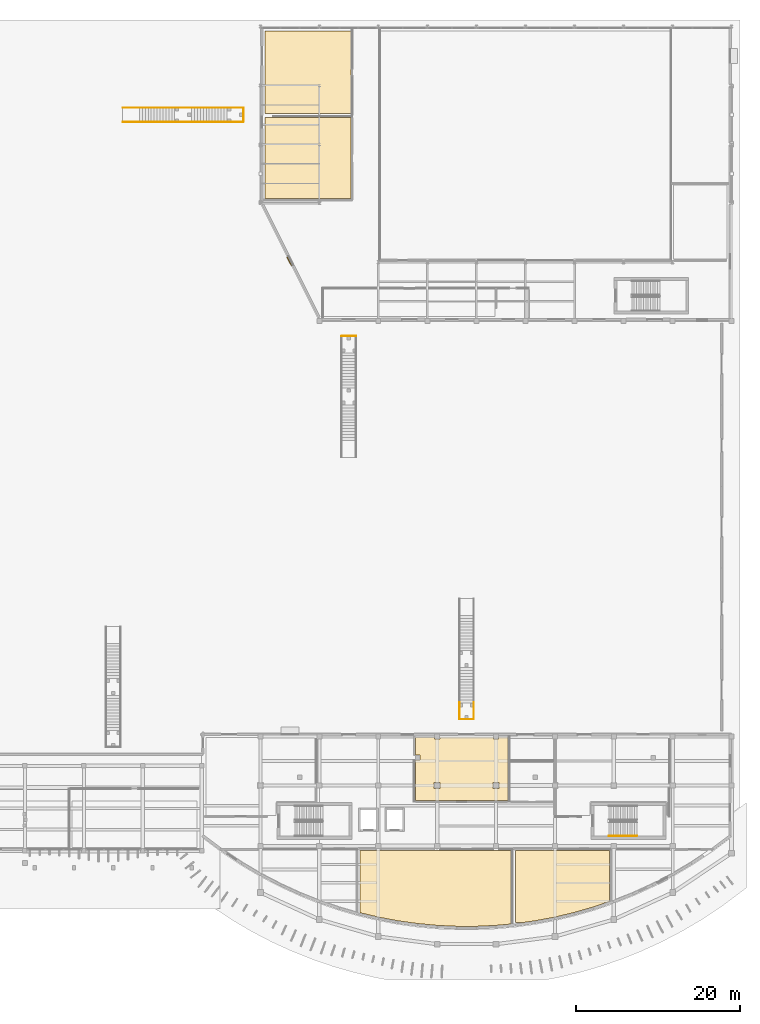
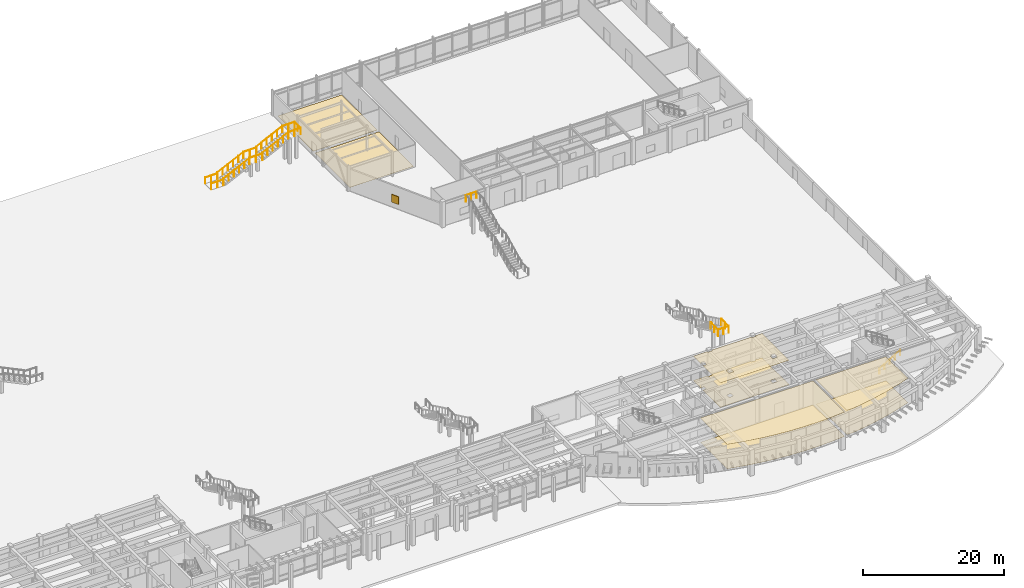
# One storey, part 54 of 58: 16 railings, 8 coverings, 1 shading device.
"""IFC4 building model written with IfcOpenShell, lengths in metres."""

from ifc_helpers import new_model, si_unit, direction, frame, origin, origin_2d, place, context, subcontext, project, spatial, polyline, rectangle, circle, outline, extrude, material, layer, layer_set, type_object, element, save


model = new_model("IFC4")

# Units and contexts
model_context = context("Model", 3, precision=1e-05, world=origin(), true_north=direction((0.0, 1.0)))
body_context = subcontext(model_context, "Body", "Model", "MODEL_VIEW")
ifc_project = project(units=[si_unit("LENGTHUNIT", "METRE"), si_unit("AREAUNIT", "SQUARE_METRE"), si_unit("VOLUMEUNIT", "CUBIC_METRE"), si_unit("PLANEANGLEUNIT", "RADIAN"), si_unit("MASSUNIT", "GRAM", prefix="KILO")], contexts=[model_context])

# Site, building, storey
site_placement = place(None, origin())
site = spatial("IfcSite", under=ifc_project, at=site_placement, CompositionType="ELEMENT")
building_placement = place(site_placement, origin())
building = spatial("IfcBuilding", under=site, at=building_placement, Name="Brisavento Harbour Community Centre", CompositionType="ELEMENT")
storey_placement = place(building_placement, origin())
storey = spatial("IfcBuildingStorey", under=building, at=storey_placement, Name="L00", CompositionType="ELEMENT", Elevation=0.0)

# Coverings
ifc_material_1 = material(Name="Perforated acoustic gypsum ceiling board", Category="other")
ifc_layer_1 = layer(ifc_material_1, 0.02490234375, Name="Perforated acoustic gypsum ceiling board")
ifc_layer_set_1 = layer_set([ifc_layer_1], Name="Perforated acoustic gypsum ceiling board")
covering_type_1 = type_object("IfcCoveringType", Name="COV-CEIL-AC", PredefinedType="CEILING", material=ifc_layer_set_1)
covering_1_placement = place(storey_placement, frame((0.0, 0.0, 4.215087890625)))
element("IfcCovering", 1, at=covering_1_placement, inside=storey, type_object=covering_type_1, Name="L00 Nursery Playroom Harbour acoustic ceiling", PredefinedType="CEILING", context=body_context, shape_type="SweptSolid", body=[
    extrude(outline(polyline([(127.35009765625, 6.8505859375), (129.677001953125, 6.2958984375), (132.059814453125, 5.84814453125), (134.442626953125, 5.514892578125), (136.82568359375, 5.2939453125), (139.20849609375, 5.183837890625), (141.59130859375, 5.183837890625), (143.974365234375, 5.2939453125), (145.85009765625, 5.468017578125), (145.85009765625, 14.449951171875), (127.35009765625, 14.449951171875), (127.35009765625, 6.8505859375)])), origin(), (0.0, 0.0, 1.0), 0.02490234375),
])
covering_2_placement = place(storey_placement, frame((0.0, 0.0, 4.215087890625)))
element("IfcCovering", 2, at=covering_2_placement, inside=storey, type_object=covering_type_1, Name="L00 Children Cot and Quiet Room acoustic ceiling", PredefinedType="CEILING", context=body_context, shape_type="SweptSolid", body=[
    extrude(outline(polyline([(147.3232421875, 5.64990234375), (148.739990234375, 5.84814453125), (151.123046875, 6.2958984375), (153.506103515625, 6.861083984375), (155.888916015625, 7.548095703125), (157.85009765625, 8.218017578125), (157.85009765625, 14.449951171875), (146.35009765625, 14.449951171875), (146.35009765625, 5.64990234375), (147.3232421875, 5.64990234375)])), origin(), (0.0, 0.0, 1.0), 0.02490234375),
])
covering_3_placement = place(storey_placement, frame((0.0, 0.0, 4.215087890625)))
element("IfcCovering", 3, at=covering_3_placement, inside=storey, type_object=covering_type_1, Name="L00 Nursery Pantry and Pram Store acoustic ceiling", PredefinedType="CEILING", context=body_context, shape_type="SweptSolid", body=[
    extrude(outline(polyline([(137.1298828125, 28.070068359375), (136.469970703125, 28.070068359375), (136.469970703125, 28.25), (134.14990234375, 28.25), (134.14990234375, 26.10498046875), (134.705078125, 26.10498046875), (134.705078125, 25.4951171875), (134.14990234375, 25.4951171875), (134.14990234375, 20.550048828125), (145.449951171875, 20.550048828125), (145.449951171875, 28.25), (144.330078125, 28.25), (144.330078125, 28.070068359375), (143.669921875, 28.070068359375), (143.669921875, 28.25), (137.1298828125, 28.25), (137.1298828125, 28.070068359375)]), holes=[polyline([(137.155029296875, 22.044921875), (136.445068359375, 22.044921875), (136.445068359375, 22.7548828125), (137.155029296875, 22.7548828125), (137.155029296875, 22.044921875)]), polyline([(143.64501953125, 22.7548828125), (144.35498046875, 22.7548828125), (144.35498046875, 22.044921875), (143.64501953125, 22.044921875), (143.64501953125, 22.7548828125)])]), origin(), (0.0, 0.0, 1.0), 0.02490234375),
])
ifc_material_2 = material(Name="Polished marine terrazzo tile", Category="other")
ifc_layer_2 = layer(ifc_material_2, 0.02001953125, Name="Polished marine terrazzo tile")
ifc_layer_set_2 = layer_set([ifc_layer_2], Name="Polished marine terrazzo tile")
covering_type_2 = type_object("IfcCoveringType", Name="COV-FLR-TRZ", PredefinedType="FLOORING", material=ifc_layer_set_2)
covering_4_placement = place(storey_placement, origin())
element("IfcCovering", 4, at=covering_4_placement, inside=storey, type_object=covering_type_2, Name="L00 Nursery Playroom Harbour terrazzo flooring", PredefinedType="FLOORING", context=body_context, shape_type="SweptSolid", body=[
    extrude(outline(polyline([(127.35009765625, 6.8505859375), (129.677001953125, 6.2958984375), (132.059814453125, 5.84814453125), (134.442626953125, 5.514892578125), (136.82568359375, 5.2939453125), (139.20849609375, 5.183837890625), (141.59130859375, 5.183837890625), (143.974365234375, 5.2939453125), (145.85009765625, 5.468017578125), (145.85009765625, 14.449951171875), (127.35009765625, 14.449951171875), (127.35009765625, 6.8505859375)])), origin(), (0.0, 0.0, 1.0), 0.02001953125),
])
covering_5_placement = place(storey_placement, origin())
element("IfcCovering", 5, at=covering_5_placement, inside=storey, type_object=covering_type_2, Name="L00 Children Cot and Quiet Room terrazzo flooring", PredefinedType="FLOORING", context=body_context, shape_type="SweptSolid", body=[
    extrude(outline(polyline([(147.3232421875, 5.64990234375), (148.739990234375, 5.84814453125), (151.123046875, 6.2958984375), (153.506103515625, 6.861083984375), (155.888916015625, 7.548095703125), (157.85009765625, 8.218017578125), (157.85009765625, 14.449951171875), (146.35009765625, 14.449951171875), (146.35009765625, 5.64990234375), (147.3232421875, 5.64990234375)])), origin(), (0.0, 0.0, 1.0), 0.02001953125),
])
covering_6_placement = place(storey_placement, origin())
element("IfcCovering", 6, at=covering_6_placement, inside=storey, type_object=covering_type_2, Name="L00 Nursery Pantry and Pram Store terrazzo flooring", PredefinedType="FLOORING", context=body_context, shape_type="SweptSolid", body=[
    extrude(outline(polyline([(137.1298828125, 28.070068359375), (136.469970703125, 28.070068359375), (136.469970703125, 28.25), (134.14990234375, 28.25), (134.14990234375, 26.10498046875), (134.705078125, 26.10498046875), (134.705078125, 25.4951171875), (134.14990234375, 25.4951171875), (134.14990234375, 20.550048828125), (145.449951171875, 20.550048828125), (145.449951171875, 28.25), (144.330078125, 28.25), (144.330078125, 28.070068359375), (143.669921875, 28.070068359375), (143.669921875, 28.25), (137.1298828125, 28.25), (137.1298828125, 28.070068359375)]), holes=[polyline([(137.155029296875, 22.044921875), (136.445068359375, 22.044921875), (136.445068359375, 22.7548828125), (137.155029296875, 22.7548828125), (137.155029296875, 22.044921875)]), polyline([(143.64501953125, 22.7548828125), (144.35498046875, 22.7548828125), (144.35498046875, 22.044921875), (143.64501953125, 22.044921875), (143.64501953125, 22.7548828125)])]), origin(), (0.0, 0.0, 1.0), 0.02001953125),
])
covering_7_placement = place(storey_placement, origin())
element("IfcCovering", 7, at=covering_7_placement, inside=storey, type_object=covering_type_2, Name="L00 Team Changing Room A terrazzo flooring", PredefinedType="FLOORING", context=body_context, shape_type="SweptSolid", body=[
    extrude(outline(polyline([(115.75, 94.14990234375), (126.25, 94.14990234375), (126.25, 104.050048828125), (115.75, 104.050048828125), (115.75, 94.14990234375)])), origin(), (0.0, 0.0, 1.0), 0.02001953125),
])
covering_8_placement = place(storey_placement, origin())
element("IfcCovering", 8, at=covering_8_placement, inside=storey, type_object=covering_type_2, Name="L00 Team Changing Room B terrazzo flooring", PredefinedType="FLOORING", context=body_context, shape_type="SweptSolid", body=[
    extrude(outline(polyline([(115.75, 104.550048828125), (126.25, 104.550048828125), (126.25, 114.64990234375), (115.75, 114.64990234375), (115.75, 104.550048828125)])), origin(), (0.0, 0.0, 1.0), 0.02001953125),
])

# Railings
ifc_material_3 = material(Name="Stainless steel 1.4401", Category="steel")
railing_type_1 = type_object("IfcRailingType", Name="RL-ST-GUARD", PredefinedType="GUARDRAIL", material=ifc_material_3)
railing_1_placement = place(storey_placement, frame((126.8798828125, 77.340087890625, 4.5)))
element("IfcRailing", 9, at=railing_1_placement, inside=storey, type_object=railing_type_1, Name="L00 MST-03 top landing end guard", PredefinedType="GUARDRAIL", context=body_context, shape_type="SweptSolid", body=[
    extrude(circle(Radius=0.02392578125, at=origin_2d()), frame((0.0, 0.0, 1.09619140625), z_axis=(-1.0, 0.0, 0.0), x_axis=(0.0, -1.0, 0.0)), (0.0, 0.0, 1.0), 1.759765625),
    extrude(circle(Radius=0.02099609375, at=origin_2d()), origin(), (0.0, 0.0, 1.0), 1.072021484375),
    extrude(circle(Radius=0.02099609375, at=origin_2d()), frame((-0.8798828125, 0.0, 0.0)), (0.0, 0.0, 1.0), 1.072021484375),
    extrude(circle(Radius=0.02099609375, at=origin_2d()), frame((-1.759765625, 0.0, 0.0)), (0.0, 0.0, 1.0), 1.072021484375),
])
for number, where, name in (
    (10, (139.530029296875, 32.550048828125, 4.5), "L00 MST-05 L L3 stair guard"),
    (11, (141.27001953125, 32.550048828125, 4.5), "L00 MST-05 R L3 stair guard"),
):
    element("IfcRailing", number, at=place(storey_placement, frame(where)), inside=storey, type_object=railing_type_1, Name=name, PredefinedType="GUARDRAIL", context=body_context, shape_type="SweptSolid", body=[
        extrude(circle(Radius=0.02392578125, at=origin_2d()), frame((0.0, 0.0, 1.09619140625), z_axis=(0.0, -1.0, 0.0), x_axis=(1.0, 0.0, 0.0)), (0.0, 0.0, 1.0), 2.050048828125),
        extrude(circle(Radius=0.02099609375, at=origin_2d()), origin(), (0.0, 0.0, 1.0), 1.072021484375),
        extrude(circle(Radius=0.02099609375, at=origin_2d()), frame((0.0, -1.02490234375, 0.0)), (0.0, 0.0, 1.0), 1.072021484375),
        extrude(circle(Radius=0.02099609375, at=origin_2d()), frame((0.0, -2.050048828125, 0.0)), (0.0, 0.0, 1.0), 1.072021484375),
    ])
railing_2_placement = place(storey_placement, frame((139.530029296875, 30.5, 4.5)))
element("IfcRailing", 12, at=railing_2_placement, inside=storey, type_object=railing_type_1, Name="L00 MST-05 top landing end guard", PredefinedType="GUARDRAIL", context=body_context, shape_type="SweptSolid", body=[
    extrude(circle(Radius=0.02392578125, at=origin_2d()), frame((0.0, 0.0, 1.09619140625), z_axis=(1.0, 0.0, 0.0), x_axis=(0.0, 1.0, 0.0)), (0.0, 0.0, 1.0), 1.739990234375),
    extrude(circle(Radius=0.02099609375, at=origin_2d()), origin(), (0.0, 0.0, 1.0), 1.072021484375),
    extrude(circle(Radius=0.02099609375, at=origin_2d()), frame((0.8701171875, 0.0, 0.0)), (0.0, 0.0, 1.0), 1.072021484375),
    extrude(circle(Radius=0.02099609375, at=origin_2d()), frame((1.739990234375, 0.0, 0.0)), (0.0, 0.0, 1.0), 1.072021484375),
])
railing_3_placement = place(storey_placement, frame((98.389892578125, 103.530029296875, 0.0)))
element("IfcRailing", 13, at=railing_3_placement, inside=storey, type_object=railing_type_1, Name="L00 MST-06 L L1 stair guard", PredefinedType="GUARDRAIL", context=body_context, shape_type="SweptSolid", body=[
    extrude(circle(Radius=0.02392578125, at=origin_2d()), frame((0.0, 0.0, 1.09619140625), z_axis=(1.0, 0.0, 0.0), x_axis=(0.0, 1.0, 0.0)), (0.0, 0.0, 1.0), 2.010009765625),
    extrude(circle(Radius=0.02099609375, at=origin_2d()), origin(), (0.0, 0.0, 1.0), 1.072021484375),
    extrude(circle(Radius=0.02099609375, at=origin_2d()), frame((1.0048828125, 0.0, 0.0)), (0.0, 0.0, 1.0), 1.072021484375),
    extrude(circle(Radius=0.02099609375, at=origin_2d()), frame((2.010009765625, 0.0, 0.0)), (0.0, 0.0, 1.0), 1.072021484375),
])
railing_4_placement = place(storey_placement, frame((100.39990234375, 103.530029296875, 0.173095703125)))
element("IfcRailing", 14, at=railing_4_placement, inside=storey, type_object=railing_type_1, Name="L00 MST-06 L F1 stair guard", PredefinedType="GUARDRAIL", context=body_context, shape_type="SweptSolid", body=[
    extrude(circle(Radius=0.02392578125, at=origin_2d()), frame((0.0, 0.0, 1.09619140625), z_axis=(0.901256631912, 0.0, 0.433285683395), x_axis=(0.0, 1.0, 0.0)), (0.0, 0.0, 1.0), 4.79345703125),
    extrude(circle(Radius=0.02099609375, at=origin_2d()), origin(), (0.0, 0.0, 1.0), 1.072021484375),
    extrude(circle(Radius=0.02099609375, at=origin_2d()), frame((0.864013671875, 0.0, 0.415283203125)), (0.0, 0.0, 1.0), 1.072021484375),
    extrude(circle(Radius=0.02099609375, at=origin_2d()), frame((1.72802734375, 0.0, 0.830810546875)), (0.0, 0.0, 1.0), 1.072021484375),
    extrude(circle(Radius=0.02099609375, at=origin_2d()), frame((2.592041015625, 0.0, 1.24609375)), (0.0, 0.0, 1.0), 1.072021484375),
    extrude(circle(Radius=0.02099609375, at=origin_2d()), frame((3.4560546875, 0.0, 1.66162109375)), (0.0, 0.0, 1.0), 1.072021484375),
    extrude(circle(Radius=0.02099609375, at=origin_2d()), frame((4.320068359375, 0.0, 2.076904296875)), (0.0, 0.0, 1.0), 1.072021484375),
])
railing_5_placement = place(storey_placement, frame((104.679931640625, 103.530029296875, 2.25)))
element("IfcRailing", 15, at=railing_5_placement, inside=storey, type_object=railing_type_1, Name="L00 MST-06 L L2 stair guard", PredefinedType="GUARDRAIL", context=body_context, shape_type="SweptSolid", body=[
    extrude(circle(Radius=0.02392578125, at=origin_2d()), frame((0.0, 0.0, 1.09619140625), z_axis=(1.0, 0.0, 0.0), x_axis=(0.0, 1.0, 0.0)), (0.0, 0.0, 1.0), 2.130126953125),
    extrude(circle(Radius=0.02099609375, at=origin_2d()), origin(), (0.0, 0.0, 1.0), 1.072021484375),
    extrude(circle(Radius=0.02099609375, at=origin_2d()), frame((1.06494140625, 0.0, 0.0)), (0.0, 0.0, 1.0), 1.072021484375),
    extrude(circle(Radius=0.02099609375, at=origin_2d()), frame((2.130126953125, 0.0, 0.0)), (0.0, 0.0, 1.0), 1.072021484375),
])
railing_6_placement = place(storey_placement, frame((106.77001953125, 103.530029296875, 2.423095703125)))
element("IfcRailing", 16, at=railing_6_placement, inside=storey, type_object=railing_type_1, Name="L00 MST-06 L F2 stair guard", PredefinedType="GUARDRAIL", context=body_context, shape_type="SweptSolid", body=[
    extrude(circle(Radius=0.02392578125, at=origin_2d()), frame((0.0, 0.0, 1.09619140625), z_axis=(0.901256631912, 0.0, 0.433285683395), x_axis=(0.0, 1.0, 0.0)), (0.0, 0.0, 1.0), 4.79345703125),
    extrude(circle(Radius=0.02099609375, at=origin_2d()), origin(), (0.0, 0.0, 1.0), 1.072021484375),
    extrude(circle(Radius=0.02099609375, at=origin_2d()), frame((0.864013671875, 0.0, 0.415283203125)), (0.0, 0.0, 1.0), 1.072021484375),
    extrude(circle(Radius=0.02099609375, at=origin_2d()), frame((1.72802734375, 0.0, 0.830810546875)), (0.0, 0.0, 1.0), 1.072021484375),
    extrude(circle(Radius=0.02099609375, at=origin_2d()), frame((2.592041015625, 0.0, 1.24609375)), (0.0, 0.0, 1.0), 1.072021484375),
    extrude(circle(Radius=0.02099609375, at=origin_2d()), frame((3.4560546875, 0.0, 1.66162109375)), (0.0, 0.0, 1.0), 1.072021484375),
    extrude(circle(Radius=0.02099609375, at=origin_2d()), frame((4.320068359375, 0.0, 2.076904296875)), (0.0, 0.0, 1.0), 1.072021484375),
])
railing_7_placement = place(storey_placement, frame((111.050048828125, 103.530029296875, 4.5)))
element("IfcRailing", 17, at=railing_7_placement, inside=storey, type_object=railing_type_1, Name="L00 MST-06 L L3 stair guard", PredefinedType="GUARDRAIL", context=body_context, shape_type="SweptSolid", body=[
    extrude(circle(Radius=0.02392578125, at=origin_2d()), frame((0.0, 0.0, 1.09619140625), z_axis=(1.0, 0.0, 0.0), x_axis=(0.0, 1.0, 0.0)), (0.0, 0.0, 1.0), 2.050048828125),
    extrude(circle(Radius=0.02099609375, at=origin_2d()), origin(), (0.0, 0.0, 1.0), 1.072021484375),
    extrude(circle(Radius=0.02099609375, at=origin_2d()), frame((1.02490234375, 0.0, 0.0)), (0.0, 0.0, 1.0), 1.072021484375),
    extrude(circle(Radius=0.02099609375, at=origin_2d()), frame((2.050048828125, 0.0, 0.0)), (0.0, 0.0, 1.0), 1.072021484375),
])
railing_8_placement = place(storey_placement, frame((98.389892578125, 105.27001953125, 0.0)))
element("IfcRailing", 18, at=railing_8_placement, inside=storey, type_object=railing_type_1, Name="L00 MST-06 R L1 stair guard", PredefinedType="GUARDRAIL", context=body_context, shape_type="SweptSolid", body=[
    extrude(circle(Radius=0.02392578125, at=origin_2d()), frame((0.0, 0.0, 1.09619140625), z_axis=(1.0, 0.0, 0.0), x_axis=(0.0, 1.0, 0.0)), (0.0, 0.0, 1.0), 2.010009765625),
    extrude(circle(Radius=0.02099609375, at=origin_2d()), origin(), (0.0, 0.0, 1.0), 1.072021484375),
    extrude(circle(Radius=0.02099609375, at=origin_2d()), frame((1.0048828125, 0.0, 0.0)), (0.0, 0.0, 1.0), 1.072021484375),
    extrude(circle(Radius=0.02099609375, at=origin_2d()), frame((2.010009765625, 0.0, 0.0)), (0.0, 0.0, 1.0), 1.072021484375),
])
railing_9_placement = place(storey_placement, frame((100.39990234375, 105.27001953125, 0.173095703125)))
element("IfcRailing", 19, at=railing_9_placement, inside=storey, type_object=railing_type_1, Name="L00 MST-06 R F1 stair guard", PredefinedType="GUARDRAIL", context=body_context, shape_type="SweptSolid", body=[
    extrude(circle(Radius=0.02392578125, at=origin_2d()), frame((0.0, 0.0, 1.09619140625), z_axis=(0.901256631912, 0.0, 0.433285683395), x_axis=(0.0, 1.0, 0.0)), (0.0, 0.0, 1.0), 4.79345703125),
    extrude(circle(Radius=0.02099609375, at=origin_2d()), origin(), (0.0, 0.0, 1.0), 1.072021484375),
    extrude(circle(Radius=0.02099609375, at=origin_2d()), frame((0.864013671875, 0.0, 0.415283203125)), (0.0, 0.0, 1.0), 1.072021484375),
    extrude(circle(Radius=0.02099609375, at=origin_2d()), frame((1.72802734375, 0.0, 0.830810546875)), (0.0, 0.0, 1.0), 1.072021484375),
    extrude(circle(Radius=0.02099609375, at=origin_2d()), frame((2.592041015625, 0.0, 1.24609375)), (0.0, 0.0, 1.0), 1.072021484375),
    extrude(circle(Radius=0.02099609375, at=origin_2d()), frame((3.4560546875, 0.0, 1.66162109375)), (0.0, 0.0, 1.0), 1.072021484375),
    extrude(circle(Radius=0.02099609375, at=origin_2d()), frame((4.320068359375, 0.0, 2.076904296875)), (0.0, 0.0, 1.0), 1.072021484375),
])
railing_10_placement = place(storey_placement, frame((104.679931640625, 105.27001953125, 2.25)))
element("IfcRailing", 20, at=railing_10_placement, inside=storey, type_object=railing_type_1, Name="L00 MST-06 R L2 stair guard", PredefinedType="GUARDRAIL", context=body_context, shape_type="SweptSolid", body=[
    extrude(circle(Radius=0.02392578125, at=origin_2d()), frame((0.0, 0.0, 1.09619140625), z_axis=(1.0, 0.0, 0.0), x_axis=(0.0, 1.0, 0.0)), (0.0, 0.0, 1.0), 2.130126953125),
    extrude(circle(Radius=0.02099609375, at=origin_2d()), origin(), (0.0, 0.0, 1.0), 1.072021484375),
    extrude(circle(Radius=0.02099609375, at=origin_2d()), frame((1.06494140625, 0.0, 0.0)), (0.0, 0.0, 1.0), 1.072021484375),
    extrude(circle(Radius=0.02099609375, at=origin_2d()), frame((2.130126953125, 0.0, 0.0)), (0.0, 0.0, 1.0), 1.072021484375),
])
railing_11_placement = place(storey_placement, frame((106.77001953125, 105.27001953125, 2.423095703125)))
element("IfcRailing", 21, at=railing_11_placement, inside=storey, type_object=railing_type_1, Name="L00 MST-06 R F2 stair guard", PredefinedType="GUARDRAIL", context=body_context, shape_type="SweptSolid", body=[
    extrude(circle(Radius=0.02392578125, at=origin_2d()), frame((0.0, 0.0, 1.09619140625), z_axis=(0.901256631912, 0.0, 0.433285683395), x_axis=(0.0, 1.0, 0.0)), (0.0, 0.0, 1.0), 4.79345703125),
    extrude(circle(Radius=0.02099609375, at=origin_2d()), origin(), (0.0, 0.0, 1.0), 1.072021484375),
    extrude(circle(Radius=0.02099609375, at=origin_2d()), frame((0.864013671875, 0.0, 0.415283203125)), (0.0, 0.0, 1.0), 1.072021484375),
    extrude(circle(Radius=0.02099609375, at=origin_2d()), frame((1.72802734375, 0.0, 0.830810546875)), (0.0, 0.0, 1.0), 1.072021484375),
    extrude(circle(Radius=0.02099609375, at=origin_2d()), frame((2.592041015625, 0.0, 1.24609375)), (0.0, 0.0, 1.0), 1.072021484375),
    extrude(circle(Radius=0.02099609375, at=origin_2d()), frame((3.4560546875, 0.0, 1.66162109375)), (0.0, 0.0, 1.0), 1.072021484375),
    extrude(circle(Radius=0.02099609375, at=origin_2d()), frame((4.320068359375, 0.0, 2.076904296875)), (0.0, 0.0, 1.0), 1.072021484375),
])
railing_12_placement = place(storey_placement, frame((111.050048828125, 105.27001953125, 4.5)))
element("IfcRailing", 22, at=railing_12_placement, inside=storey, type_object=railing_type_1, Name="L00 MST-06 R L3 stair guard", PredefinedType="GUARDRAIL", context=body_context, shape_type="SweptSolid", body=[
    extrude(circle(Radius=0.02392578125, at=origin_2d()), frame((0.0, 0.0, 1.09619140625), z_axis=(1.0, 0.0, 0.0), x_axis=(0.0, 1.0, 0.0)), (0.0, 0.0, 1.0), 2.050048828125),
    extrude(circle(Radius=0.02099609375, at=origin_2d()), origin(), (0.0, 0.0, 1.0), 1.072021484375),
    extrude(circle(Radius=0.02099609375, at=origin_2d()), frame((1.02490234375, 0.0, 0.0)), (0.0, 0.0, 1.0), 1.072021484375),
    extrude(circle(Radius=0.02099609375, at=origin_2d()), frame((2.050048828125, 0.0, 0.0)), (0.0, 0.0, 1.0), 1.072021484375),
])
railing_13_placement = place(storey_placement, frame((113.10009765625, 103.530029296875, 4.5)))
element("IfcRailing", 23, at=railing_13_placement, inside=storey, type_object=railing_type_1, Name="L00 MST-06 top landing end guard", PredefinedType="GUARDRAIL", context=body_context, shape_type="SweptSolid", body=[
    extrude(circle(Radius=0.02392578125, at=origin_2d()), frame((0.0, 0.0, 1.09619140625), z_axis=(0.0, 1.0, 0.0), x_axis=(-1.0, 0.0, 0.0)), (0.0, 0.0, 1.0), 1.739990234375),
    extrude(circle(Radius=0.02099609375, at=origin_2d()), origin(), (0.0, 0.0, 1.0), 1.072021484375),
    extrude(circle(Radius=0.02099609375, at=origin_2d()), frame((0.0, 0.8701171875, 0.0)), (0.0, 0.0, 1.0), 1.072021484375),
    extrude(circle(Radius=0.02099609375, at=origin_2d()), frame((0.0, 1.739990234375, 0.0)), (0.0, 0.0, 1.0), 1.072021484375),
])
railing_type_2 = type_object("IfcRailingType", Name="RL-ST-HAND", PredefinedType="HANDRAIL", material=ifc_material_3)
railing_14_placement = place(storey_placement, frame((157.800048828125, 16.25, 0.173095703125)))
element("IfcRailing", 24, at=railing_14_placement, inside=storey, type_object=railing_type_2, Name="L00 ST-05 stair handrail 1", PredefinedType="HANDRAIL", context=body_context, shape_type="SweptSolid", body=[
    extrude(circle(Radius=0.02392578125, at=origin_2d()), frame((0.0, 0.0, 0.8759765625), z_axis=(0.854729506542, 0.0, 0.519073665916), x_axis=(0.0, 1.0, 0.0)), (0.0, 0.0, 1.0), 4.001220703125),
    extrude(circle(Radius=0.02099609375, at=origin_2d()), origin(), (0.0, 0.0, 1.0), 0.851806640625),
    extrude(circle(Radius=0.02099609375, at=origin_2d()), frame((0.85498046875, 0.0, 0.519287109375)), (0.0, 0.0, 1.0), 0.851806640625),
    extrude(circle(Radius=0.02099609375, at=origin_2d()), frame((1.7099609375, 0.0, 1.03857421875)), (0.0, 0.0, 1.0), 0.851806640625),
    extrude(circle(Radius=0.02099609375, at=origin_2d()), frame((2.56494140625, 0.0, 1.5576171875)), (0.0, 0.0, 1.0), 0.851806640625),
    extrude(circle(Radius=0.02099609375, at=origin_2d()), frame((3.419921875, 0.0, 2.076904296875)), (0.0, 0.0, 1.0), 0.851806640625),
])

# Shading device
ifc_material_4 = material(Name="Marine-anodised aluminium AW-6063-T6", Category="aluminium")
ifc_layer_3 = layer(ifc_material_4, 0.1201171875, Name="Marine-anodised aluminium AW-6063-T6")
ifc_layer_set_3 = layer_set([ifc_layer_3], Name="Marine-anodised aluminium AW-6063-T6")
shading_device_type = type_object("IfcShadingDeviceType", Name="SHD-LOUVRE", PredefinedType="JALOUSIE", material=ifc_layer_set_3)
shading_device_placement = place(storey_placement, frame((118.759521484375, 86.4921875, 0.89990234375), z_axis=(0.0, 0.0, 1.0), x_axis=(-0.44721279659, 0.894427590455, 0.0)))
element("IfcShadingDevice", 25, at=shading_device_placement, inside=storey, type_object=shading_device_type, Name="L00 hurricane storm louvre 08", PredefinedType="JALOUSIE", context=body_context, shape_type="SweptSolid", body=[
    extrude(rectangle(XDim=1.199951171875, YDim=0.1201171875, at=origin_2d()), origin(), (0.0, 0.0, 1.0), 1.35009765625),
])

save(model, "model.ifc")
